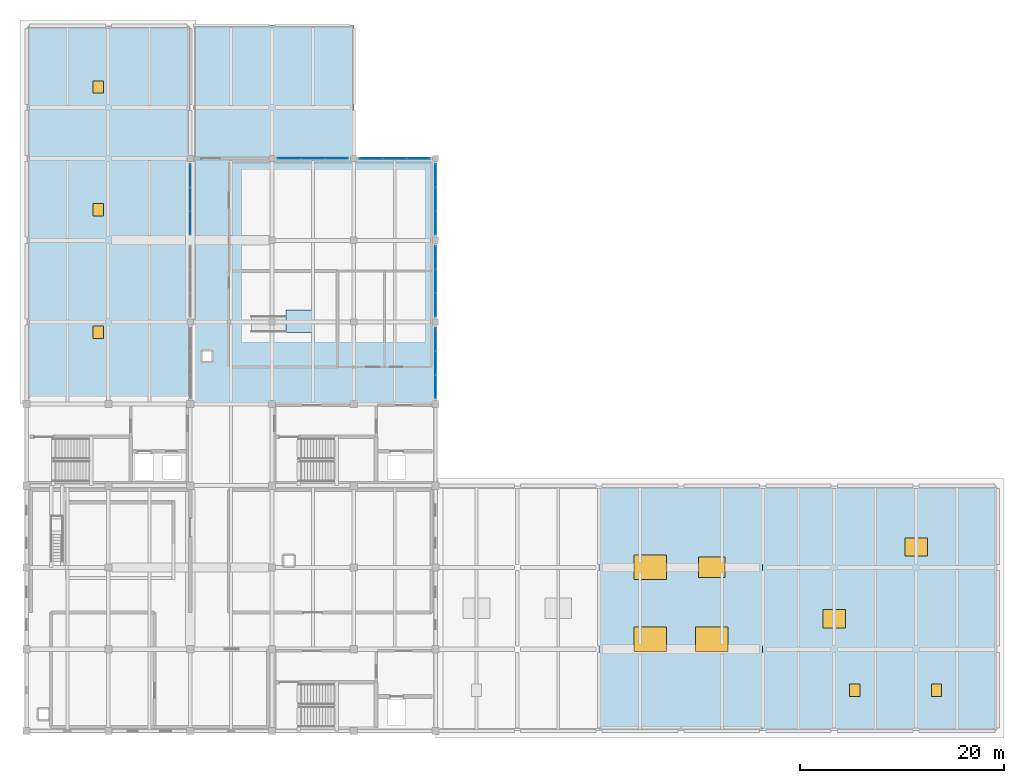
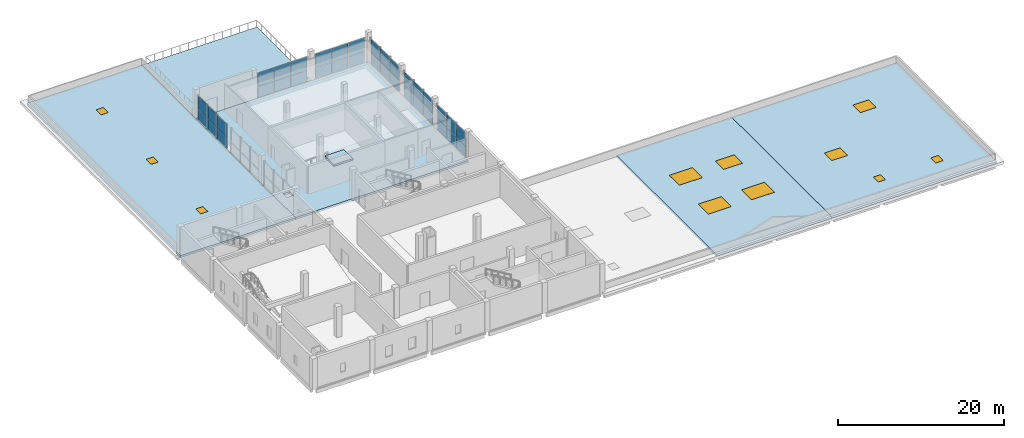
# One storey, part 8 of 14: 36 plates, 6 slabs, 6 windows, 5 doors, 11 openings, 9 elements without a shape of their own.
"""IFC4 building model written with IfcOpenShell, lengths in metres."""

from ifc_helpers import new_model, si_unit, direction, frame, origin, origin_2d, place, context, subcontext, project, spatial, polyline, rectangle, outline, extrude, material, layer, layer_set, type_object, element, fill, aggregate, save


model = new_model("IFC4")

# Units and contexts
model_context = context("Model", 3, precision=1e-05, world=origin(), true_north=direction((0.0, 1.0)))
body_context = subcontext(model_context, "Body", "Model", "MODEL_VIEW")
ifc_project = project(units=[si_unit("LENGTHUNIT", "METRE"), si_unit("AREAUNIT", "SQUARE_METRE"), si_unit("VOLUMEUNIT", "CUBIC_METRE"), si_unit("PLANEANGLEUNIT", "RADIAN"), si_unit("MASSUNIT", "GRAM", prefix="KILO")], contexts=[model_context])

# Site, building, storey
site_placement = place(None, origin())
site = spatial("IfcSite", under=ifc_project, at=site_placement, CompositionType="ELEMENT")
building_placement = place(site_placement, origin())
building = spatial("IfcBuilding", under=site, at=building_placement, Name="Qorikala Patio Media Centre", CompositionType="ELEMENT")
storey_placement = place(building_placement, frame((0.0, 0.0, 23.39990234375)))
storey = spatial("IfcBuildingStorey", under=building, at=storey_placement, Name="L05", CompositionType="ELEMENT", Elevation=23.39990234375)

# Curtain wall, plates
ifc_material_1 = material(Name="Bronze Anodised Aluminium and Low-E Glass", Category="aluminium")
ifc_layer_1 = layer(ifc_material_1, 0.159912109375)
ifc_layer_set_1 = layer_set([ifc_layer_1], Name="Bronze Anodised Aluminium and Low-E Glass")
curtain_wall_type = type_object("IfcCurtainWallType", Name="CW-PAV-696X375", PredefinedType="USERDEFINED", material=ifc_layer_set_1)
curtain_wall_1_placement = place(storey_placement, origin())
curtain_wall_1 = element("IfcCurtainWall", 1, at=curtain_wall_1_placement, inside=storey, type_object=curtain_wall_type, Name="L05 Courtyard Curtain Wall 094", ObjectType="COURTYARD CURTAIN WALL", PredefinedType="USERDEFINED")
ifc_material_2 = material(Name="Low-E Double Glazing Glass", Category="glass")
ifc_layer_2 = layer(ifc_material_2, 0.028076171875)
ifc_layer_set_2 = layer_set([ifc_layer_2], Name="Low-E Double Glazing Glass")
plate_type = type_object("IfcPlateType", Name="CWP-28", PredefinedType="CURTAIN_PANEL", material=ifc_layer_set_2)
plate_1_placement = place(storey_placement, frame((19.0, 52.695068359375, 0.06005859375), z_axis=(0.0, 0.0, 1.0), x_axis=(0.0, 1.0, 0.0)))
plate_1 = element("IfcPlate", 2, at=plate_1_placement, type_object=plate_type, Name="CWP696375 panel 1.1", PredefinedType="CURTAIN_PANEL", context=body_context, shape_type="SweptSolid", body=[
    extrude(rectangle(XDim=2.22998046875, YDim=0.028076171875, at=origin_2d()), origin(), (0.0, 0.0, 1.0), 1.597412109375),
])
plate_2_placement = place(storey_placement, frame((19.0, 52.695068359375, 1.7177734375), z_axis=(0.0, 0.0, 1.0), x_axis=(0.0, 1.0, 0.0)))
plate_2 = element("IfcPlate", 3, at=plate_2_placement, type_object=plate_type, Name="CWP696375 panel 1.2", PredefinedType="CURTAIN_PANEL", context=body_context, shape_type="SweptSolid", body=[
    extrude(rectangle(XDim=2.22998046875, YDim=0.028076171875, at=origin_2d()), origin(), (0.0, 0.0, 1.0), 1.972412109375),
])
plate_3_placement = place(storey_placement, frame((19.0, 55.0, 0.06005859375), z_axis=(0.0, 0.0, 1.0), x_axis=(0.0, 1.0, 0.0)))
plate_3 = element("IfcPlate", 4, at=plate_3_placement, type_object=plate_type, Name="CWP696375 panel 2.1", PredefinedType="CURTAIN_PANEL", context=body_context, shape_type="SweptSolid", body=[
    extrude(rectangle(XDim=2.260009765625, YDim=0.028076171875, at=origin_2d()), origin(), (0.0, 0.0, 1.0), 1.597412109375),
])
plate_4_placement = place(storey_placement, frame((19.0, 55.0, 1.7177734375), z_axis=(0.0, 0.0, 1.0), x_axis=(0.0, 1.0, 0.0)))
plate_4 = element("IfcPlate", 5, at=plate_4_placement, type_object=plate_type, Name="CWP696375 panel 2.2", PredefinedType="CURTAIN_PANEL", context=body_context, shape_type="SweptSolid", body=[
    extrude(rectangle(XDim=2.260009765625, YDim=0.028076171875, at=origin_2d()), origin(), (0.0, 0.0, 1.0), 1.972412109375),
])
plate_5_placement = place(storey_placement, frame((19.0, 57.304931640625, 0.06005859375), z_axis=(0.0, 0.0, 1.0), x_axis=(0.0, 1.0, 0.0)))
plate_5 = element("IfcPlate", 6, at=plate_5_placement, type_object=plate_type, Name="CWP696375 panel 3.1", PredefinedType="CURTAIN_PANEL", context=body_context, shape_type="SweptSolid", body=[
    extrude(rectangle(XDim=2.22998046875, YDim=0.028076171875, at=origin_2d()), origin(), (0.0, 0.0, 1.0), 1.597412109375),
])
plate_6_placement = place(storey_placement, frame((19.0, 57.304931640625, 1.7177734375), z_axis=(0.0, 0.0, 1.0), x_axis=(0.0, 1.0, 0.0)))
plate_6 = element("IfcPlate", 7, at=plate_6_placement, type_object=plate_type, Name="CWP696375 panel 3.2", PredefinedType="CURTAIN_PANEL", context=body_context, shape_type="SweptSolid", body=[
    extrude(rectangle(XDim=2.22998046875, YDim=0.028076171875, at=origin_2d()), origin(), (0.0, 0.0, 1.0), 1.972412109375),
])
aggregate(curtain_wall_1, [plate_1, plate_2, plate_3, plate_4, plate_5, plate_6])

curtain_wall_2_placement = place(storey_placement, origin())
curtain_wall_2 = element("IfcCurtainWall", 8, at=curtain_wall_2_placement, inside=storey, type_object=curtain_wall_type, Name="L05 Courtyard Curtain Wall 095", ObjectType="COURTYARD CURTAIN WALL", PredefinedType="USERDEFINED")
plate_7_placement = place(storey_placement, frame((28.695068359375, 59.0, 0.06005859375), z_axis=(0.0, 0.0, 1.0), x_axis=(1.0, 0.0, 0.0)))
plate_7 = element("IfcPlate", 9, at=plate_7_placement, type_object=plate_type, Name="CWP696375 panel 1.1", PredefinedType="CURTAIN_PANEL", context=body_context, shape_type="SweptSolid", body=[
    extrude(rectangle(XDim=2.22998046875, YDim=0.028076171875, at=origin_2d()), origin(), (0.0, 0.0, 1.0), 1.597412109375),
])
plate_8_placement = place(storey_placement, frame((28.695068359375, 59.0, 1.7177734375), z_axis=(0.0, 0.0, 1.0), x_axis=(1.0, 0.0, 0.0)))
plate_8 = element("IfcPlate", 10, at=plate_8_placement, type_object=plate_type, Name="CWP696375 panel 1.2", PredefinedType="CURTAIN_PANEL", context=body_context, shape_type="SweptSolid", body=[
    extrude(rectangle(XDim=2.22998046875, YDim=0.028076171875, at=origin_2d()), origin(), (0.0, 0.0, 1.0), 1.972412109375),
])
plate_9_placement = place(storey_placement, frame((31.0, 59.0, 0.06005859375), z_axis=(0.0, 0.0, 1.0), x_axis=(1.0, 0.0, 0.0)))
plate_9 = element("IfcPlate", 11, at=plate_9_placement, type_object=plate_type, Name="CWP696375 panel 2.1", PredefinedType="CURTAIN_PANEL", context=body_context, shape_type="SweptSolid", body=[
    extrude(rectangle(XDim=2.260009765625, YDim=0.028076171875, at=origin_2d()), origin(), (0.0, 0.0, 1.0), 1.597412109375),
])
plate_10_placement = place(storey_placement, frame((31.0, 59.0, 1.7177734375), z_axis=(0.0, 0.0, 1.0), x_axis=(1.0, 0.0, 0.0)))
plate_10 = element("IfcPlate", 12, at=plate_10_placement, type_object=plate_type, Name="CWP696375 panel 2.2", PredefinedType="CURTAIN_PANEL", context=body_context, shape_type="SweptSolid", body=[
    extrude(rectangle(XDim=2.260009765625, YDim=0.028076171875, at=origin_2d()), origin(), (0.0, 0.0, 1.0), 1.972412109375),
])
plate_11_placement = place(storey_placement, frame((33.304931640625, 59.0, 0.06005859375), z_axis=(0.0, 0.0, 1.0), x_axis=(1.0, 0.0, 0.0)))
plate_11 = element("IfcPlate", 13, at=plate_11_placement, type_object=plate_type, Name="CWP696375 panel 3.1", PredefinedType="CURTAIN_PANEL", context=body_context, shape_type="SweptSolid", body=[
    extrude(rectangle(XDim=2.22998046875, YDim=0.028076171875, at=origin_2d()), origin(), (0.0, 0.0, 1.0), 1.597412109375),
])
plate_12_placement = place(storey_placement, frame((33.304931640625, 59.0, 1.7177734375), z_axis=(0.0, 0.0, 1.0), x_axis=(1.0, 0.0, 0.0)))
plate_12 = element("IfcPlate", 14, at=plate_12_placement, type_object=plate_type, Name="CWP696375 panel 3.2", PredefinedType="CURTAIN_PANEL", context=body_context, shape_type="SweptSolid", body=[
    extrude(rectangle(XDim=2.22998046875, YDim=0.028076171875, at=origin_2d()), origin(), (0.0, 0.0, 1.0), 1.972412109375),
])
aggregate(curtain_wall_2, [plate_7, plate_8, plate_9, plate_10, plate_11, plate_12])

curtain_wall_3_placement = place(storey_placement, origin())
curtain_wall_3 = element("IfcCurtainWall", 15, at=curtain_wall_3_placement, inside=storey, type_object=curtain_wall_type, Name="L05 Courtyard Curtain Wall 096", ObjectType="COURTYARD CURTAIN WALL", PredefinedType="USERDEFINED")
plate_13_placement = place(storey_placement, frame((36.695068359375, 59.0, 0.06005859375), z_axis=(0.0, 0.0, 1.0), x_axis=(1.0, 0.0, 0.0)))
plate_13 = element("IfcPlate", 16, at=plate_13_placement, type_object=plate_type, Name="CWP696375 panel 1.1", PredefinedType="CURTAIN_PANEL", context=body_context, shape_type="SweptSolid", body=[
    extrude(rectangle(XDim=2.22998046875, YDim=0.028076171875, at=origin_2d()), origin(), (0.0, 0.0, 1.0), 1.597412109375),
])
plate_14_placement = place(storey_placement, frame((36.695068359375, 59.0, 1.7177734375), z_axis=(0.0, 0.0, 1.0), x_axis=(1.0, 0.0, 0.0)))
plate_14 = element("IfcPlate", 17, at=plate_14_placement, type_object=plate_type, Name="CWP696375 panel 1.2", PredefinedType="CURTAIN_PANEL", context=body_context, shape_type="SweptSolid", body=[
    extrude(rectangle(XDim=2.22998046875, YDim=0.028076171875, at=origin_2d()), origin(), (0.0, 0.0, 1.0), 1.972412109375),
])
plate_15_placement = place(storey_placement, frame((39.0, 59.0, 0.06005859375), z_axis=(0.0, 0.0, 1.0), x_axis=(1.0, 0.0, 0.0)))
plate_15 = element("IfcPlate", 18, at=plate_15_placement, type_object=plate_type, Name="CWP696375 panel 2.1", PredefinedType="CURTAIN_PANEL", context=body_context, shape_type="SweptSolid", body=[
    extrude(rectangle(XDim=2.260009765625, YDim=0.028076171875, at=origin_2d()), origin(), (0.0, 0.0, 1.0), 1.597412109375),
])
plate_16_placement = place(storey_placement, frame((39.0, 59.0, 1.7177734375), z_axis=(0.0, 0.0, 1.0), x_axis=(1.0, 0.0, 0.0)))
plate_16 = element("IfcPlate", 19, at=plate_16_placement, type_object=plate_type, Name="CWP696375 panel 2.2", PredefinedType="CURTAIN_PANEL", context=body_context, shape_type="SweptSolid", body=[
    extrude(rectangle(XDim=2.260009765625, YDim=0.028076171875, at=origin_2d()), origin(), (0.0, 0.0, 1.0), 1.972412109375),
])
plate_17_placement = place(storey_placement, frame((41.304931640625, 59.0, 0.06005859375), z_axis=(0.0, 0.0, 1.0), x_axis=(1.0, 0.0, 0.0)))
plate_17 = element("IfcPlate", 20, at=plate_17_placement, type_object=plate_type, Name="CWP696375 panel 3.1", PredefinedType="CURTAIN_PANEL", context=body_context, shape_type="SweptSolid", body=[
    extrude(rectangle(XDim=2.22998046875, YDim=0.028076171875, at=origin_2d()), origin(), (0.0, 0.0, 1.0), 1.597412109375),
])
plate_18_placement = place(storey_placement, frame((41.304931640625, 59.0, 1.7177734375), z_axis=(0.0, 0.0, 1.0), x_axis=(1.0, 0.0, 0.0)))
plate_18 = element("IfcPlate", 21, at=plate_18_placement, type_object=plate_type, Name="CWP696375 panel 3.2", PredefinedType="CURTAIN_PANEL", context=body_context, shape_type="SweptSolid", body=[
    extrude(rectangle(XDim=2.22998046875, YDim=0.028076171875, at=origin_2d()), origin(), (0.0, 0.0, 1.0), 1.972412109375),
])
aggregate(curtain_wall_3, [plate_13, plate_14, plate_15, plate_16, plate_17, plate_18])

curtain_wall_4_placement = place(storey_placement, origin())
curtain_wall_4 = element("IfcCurtainWall", 22, at=curtain_wall_4_placement, inside=storey, type_object=curtain_wall_type, Name="L05 Courtyard Curtain Wall 097", ObjectType="COURTYARD CURTAIN WALL", PredefinedType="USERDEFINED")
plate_19_placement = place(storey_placement, frame((43.0, 57.304931640625, 0.06005859375), z_axis=(0.0, 0.0, 1.0), x_axis=(0.0, -1.0, 0.0)))
plate_19 = element("IfcPlate", 23, at=plate_19_placement, type_object=plate_type, Name="CWP696375 panel 1.1", PredefinedType="CURTAIN_PANEL", context=body_context, shape_type="SweptSolid", body=[
    extrude(rectangle(XDim=2.22998046875, YDim=0.028076171875, at=origin_2d()), origin(), (0.0, 0.0, 1.0), 1.597412109375),
])
plate_20_placement = place(storey_placement, frame((43.0, 57.304931640625, 1.7177734375), z_axis=(0.0, 0.0, 1.0), x_axis=(0.0, -1.0, 0.0)))
plate_20 = element("IfcPlate", 24, at=plate_20_placement, type_object=plate_type, Name="CWP696375 panel 1.2", PredefinedType="CURTAIN_PANEL", context=body_context, shape_type="SweptSolid", body=[
    extrude(rectangle(XDim=2.22998046875, YDim=0.028076171875, at=origin_2d()), origin(), (0.0, 0.0, 1.0), 1.972412109375),
])
plate_21_placement = place(storey_placement, frame((43.0, 55.0, 0.06005859375), z_axis=(0.0, 0.0, 1.0), x_axis=(0.0, -1.0, 0.0)))
plate_21 = element("IfcPlate", 25, at=plate_21_placement, type_object=plate_type, Name="CWP696375 panel 2.1", PredefinedType="CURTAIN_PANEL", context=body_context, shape_type="SweptSolid", body=[
    extrude(rectangle(XDim=2.260009765625, YDim=0.028076171875, at=origin_2d()), origin(), (0.0, 0.0, 1.0), 1.597412109375),
])
plate_22_placement = place(storey_placement, frame((43.0, 55.0, 1.7177734375), z_axis=(0.0, 0.0, 1.0), x_axis=(0.0, -1.0, 0.0)))
plate_22 = element("IfcPlate", 26, at=plate_22_placement, type_object=plate_type, Name="CWP696375 panel 2.2", PredefinedType="CURTAIN_PANEL", context=body_context, shape_type="SweptSolid", body=[
    extrude(rectangle(XDim=2.260009765625, YDim=0.028076171875, at=origin_2d()), origin(), (0.0, 0.0, 1.0), 1.972412109375),
])
plate_23_placement = place(storey_placement, frame((43.0, 52.695068359375, 0.06005859375), z_axis=(0.0, 0.0, 1.0), x_axis=(0.0, -1.0, 0.0)))
plate_23 = element("IfcPlate", 27, at=plate_23_placement, type_object=plate_type, Name="CWP696375 panel 3.1", PredefinedType="CURTAIN_PANEL", context=body_context, shape_type="SweptSolid", body=[
    extrude(rectangle(XDim=2.22998046875, YDim=0.028076171875, at=origin_2d()), origin(), (0.0, 0.0, 1.0), 1.597412109375),
])
plate_24_placement = place(storey_placement, frame((43.0, 52.695068359375, 1.7177734375), z_axis=(0.0, 0.0, 1.0), x_axis=(0.0, -1.0, 0.0)))
plate_24 = element("IfcPlate", 28, at=plate_24_placement, type_object=plate_type, Name="CWP696375 panel 3.2", PredefinedType="CURTAIN_PANEL", context=body_context, shape_type="SweptSolid", body=[
    extrude(rectangle(XDim=2.22998046875, YDim=0.028076171875, at=origin_2d()), origin(), (0.0, 0.0, 1.0), 1.972412109375),
])
aggregate(curtain_wall_4, [plate_19, plate_20, plate_21, plate_22, plate_23, plate_24])

curtain_wall_5_placement = place(storey_placement, origin())
curtain_wall_5 = element("IfcCurtainWall", 29, at=curtain_wall_5_placement, inside=storey, type_object=curtain_wall_type, Name="L05 Courtyard Curtain Wall 098", ObjectType="COURTYARD CURTAIN WALL", PredefinedType="USERDEFINED")
plate_25_placement = place(storey_placement, frame((43.0, 49.304931640625, 0.06005859375), z_axis=(0.0, 0.0, 1.0), x_axis=(0.0, -1.0, 0.0)))
plate_25 = element("IfcPlate", 30, at=plate_25_placement, type_object=plate_type, Name="CWP696375 panel 1.1", PredefinedType="CURTAIN_PANEL", context=body_context, shape_type="SweptSolid", body=[
    extrude(rectangle(XDim=2.22998046875, YDim=0.028076171875, at=origin_2d()), origin(), (0.0, 0.0, 1.0), 1.597412109375),
])
plate_26_placement = place(storey_placement, frame((43.0, 49.304931640625, 1.7177734375), z_axis=(0.0, 0.0, 1.0), x_axis=(0.0, -1.0, 0.0)))
plate_26 = element("IfcPlate", 31, at=plate_26_placement, type_object=plate_type, Name="CWP696375 panel 1.2", PredefinedType="CURTAIN_PANEL", context=body_context, shape_type="SweptSolid", body=[
    extrude(rectangle(XDim=2.22998046875, YDim=0.028076171875, at=origin_2d()), origin(), (0.0, 0.0, 1.0), 1.972412109375),
])
plate_27_placement = place(storey_placement, frame((43.0, 47.0, 0.06005859375), z_axis=(0.0, 0.0, 1.0), x_axis=(0.0, -1.0, 0.0)))
plate_27 = element("IfcPlate", 32, at=plate_27_placement, type_object=plate_type, Name="CWP696375 panel 2.1", PredefinedType="CURTAIN_PANEL", context=body_context, shape_type="SweptSolid", body=[
    extrude(rectangle(XDim=2.260009765625, YDim=0.028076171875, at=origin_2d()), origin(), (0.0, 0.0, 1.0), 1.597412109375),
])
plate_28_placement = place(storey_placement, frame((43.0, 47.0, 1.7177734375), z_axis=(0.0, 0.0, 1.0), x_axis=(0.0, -1.0, 0.0)))
plate_28 = element("IfcPlate", 33, at=plate_28_placement, type_object=plate_type, Name="CWP696375 panel 2.2", PredefinedType="CURTAIN_PANEL", context=body_context, shape_type="SweptSolid", body=[
    extrude(rectangle(XDim=2.260009765625, YDim=0.028076171875, at=origin_2d()), origin(), (0.0, 0.0, 1.0), 1.972412109375),
])
plate_29_placement = place(storey_placement, frame((43.0, 44.695068359375, 0.06005859375), z_axis=(0.0, 0.0, 1.0), x_axis=(0.0, -1.0, 0.0)))
plate_29 = element("IfcPlate", 34, at=plate_29_placement, type_object=plate_type, Name="CWP696375 panel 3.1", PredefinedType="CURTAIN_PANEL", context=body_context, shape_type="SweptSolid", body=[
    extrude(rectangle(XDim=2.22998046875, YDim=0.028076171875, at=origin_2d()), origin(), (0.0, 0.0, 1.0), 1.597412109375),
])
plate_30_placement = place(storey_placement, frame((43.0, 44.695068359375, 1.7177734375), z_axis=(0.0, 0.0, 1.0), x_axis=(0.0, -1.0, 0.0)))
plate_30 = element("IfcPlate", 35, at=plate_30_placement, type_object=plate_type, Name="CWP696375 panel 3.2", PredefinedType="CURTAIN_PANEL", context=body_context, shape_type="SweptSolid", body=[
    extrude(rectangle(XDim=2.22998046875, YDim=0.028076171875, at=origin_2d()), origin(), (0.0, 0.0, 1.0), 1.972412109375),
])
aggregate(curtain_wall_5, [plate_25, plate_26, plate_27, plate_28, plate_29, plate_30])

curtain_wall_6_placement = place(storey_placement, origin())
curtain_wall_6 = element("IfcCurtainWall", 36, at=curtain_wall_6_placement, inside=storey, type_object=curtain_wall_type, Name="L05 Courtyard Curtain Wall 099", ObjectType="COURTYARD CURTAIN WALL", PredefinedType="USERDEFINED")
plate_31_placement = place(storey_placement, frame((43.0, 41.304931640625, 0.06005859375), z_axis=(0.0, 0.0, 1.0), x_axis=(0.0, -1.0, 0.0)))
plate_31 = element("IfcPlate", 37, at=plate_31_placement, type_object=plate_type, Name="CWP696375 panel 1.1", PredefinedType="CURTAIN_PANEL", context=body_context, shape_type="SweptSolid", body=[
    extrude(rectangle(XDim=2.22998046875, YDim=0.028076171875, at=origin_2d()), origin(), (0.0, 0.0, 1.0), 1.597412109375),
])
plate_32_placement = place(storey_placement, frame((43.0, 41.304931640625, 1.7177734375), z_axis=(0.0, 0.0, 1.0), x_axis=(0.0, -1.0, 0.0)))
plate_32 = element("IfcPlate", 38, at=plate_32_placement, type_object=plate_type, Name="CWP696375 panel 1.2", PredefinedType="CURTAIN_PANEL", context=body_context, shape_type="SweptSolid", body=[
    extrude(rectangle(XDim=2.22998046875, YDim=0.028076171875, at=origin_2d()), origin(), (0.0, 0.0, 1.0), 1.972412109375),
])
plate_33_placement = place(storey_placement, frame((43.0, 39.0, 0.06005859375), z_axis=(0.0, 0.0, 1.0), x_axis=(0.0, -1.0, 0.0)))
plate_33 = element("IfcPlate", 39, at=plate_33_placement, type_object=plate_type, Name="CWP696375 panel 2.1", PredefinedType="CURTAIN_PANEL", context=body_context, shape_type="SweptSolid", body=[
    extrude(rectangle(XDim=2.260009765625, YDim=0.028076171875, at=origin_2d()), origin(), (0.0, 0.0, 1.0), 1.597412109375),
])
plate_34_placement = place(storey_placement, frame((43.0, 39.0, 1.7177734375), z_axis=(0.0, 0.0, 1.0), x_axis=(0.0, -1.0, 0.0)))
plate_34 = element("IfcPlate", 40, at=plate_34_placement, type_object=plate_type, Name="CWP696375 panel 2.2", PredefinedType="CURTAIN_PANEL", context=body_context, shape_type="SweptSolid", body=[
    extrude(rectangle(XDim=2.260009765625, YDim=0.028076171875, at=origin_2d()), origin(), (0.0, 0.0, 1.0), 1.972412109375),
])
plate_35_placement = place(storey_placement, frame((43.0, 36.695068359375, 0.06005859375), z_axis=(0.0, 0.0, 1.0), x_axis=(0.0, -1.0, 0.0)))
plate_35 = element("IfcPlate", 41, at=plate_35_placement, type_object=plate_type, Name="CWP696375 panel 3.1", PredefinedType="CURTAIN_PANEL", context=body_context, shape_type="SweptSolid", body=[
    extrude(rectangle(XDim=2.22998046875, YDim=0.028076171875, at=origin_2d()), origin(), (0.0, 0.0, 1.0), 1.597412109375),
])
plate_36_placement = place(storey_placement, frame((43.0, 36.695068359375, 1.7177734375), z_axis=(0.0, 0.0, 1.0), x_axis=(0.0, -1.0, 0.0)))
plate_36 = element("IfcPlate", 42, at=plate_36_placement, type_object=plate_type, Name="CWP696375 panel 3.2", PredefinedType="CURTAIN_PANEL", context=body_context, shape_type="SweptSolid", body=[
    extrude(rectangle(XDim=2.22998046875, YDim=0.028076171875, at=origin_2d()), origin(), (0.0, 0.0, 1.0), 1.972412109375),
])
aggregate(curtain_wall_6, [plate_31, plate_32, plate_33, plate_34, plate_35, plate_36])

# Slab
ifc_material_3 = material(Name="Concrete C35/45", Category="concrete")
ifc_layer_3 = layer(ifc_material_3, 0.300048828125)
ifc_layer_set_3 = layer_set([ifc_layer_3], Name="Concrete C35/45")
slab_type_1 = type_object("IfcSlabType", Name="SL-FLOOR-300", PredefinedType="FLOOR", material=ifc_layer_set_3)
slab_1_placement = place(storey_placement, frame((0.0, 0.0, -0.2998046875)))
element("IfcSlab", 43, at=slab_1_placement, inside=storey, type_object=slab_type_1, Name="L05 V6 Slab 3.1", PredefinedType="FLOOR", context=body_context, shape_type="SweptSolid", body=[
    extrude(outline(polyline([(43.0, 59.0), (43.0, 35.0), (27.0, 35.0), (19.0, 35.0), (19.0, 59.0), (43.0, 59.0)]), holes=[polyline([(21.10009765625, 39.199951171875), (21.10009765625, 40.10009765625), (20.199951171875, 40.10009765625), (20.199951171875, 39.199951171875), (21.10009765625, 39.199951171875)])]), origin(), (0.0, 0.0, 1.0), 0.2998046875),
])

# Roof, slab, openings, windows
roof_type = type_object("IfcRoofType", Name="ROOF-FLAT", PredefinedType="FLAT_ROOF", material=ifc_material_3)
roof_1_placement = place(storey_placement, origin())
roof_1 = element("IfcRoof", 44, at=roof_1_placement, inside=storey, type_object=roof_type, Name="L05 Flat Roof RF-V2-2", PredefinedType="FLAT_ROOF")
ifc_layer_4 = layer(ifc_material_3, 0.260009765625)
ifc_layer_set_4 = layer_set([ifc_layer_4], Name="Concrete C35/45")
slab_type_2 = type_object("IfcSlabType", Name="SL-ROOF-180", PredefinedType="ROOF", material=ifc_layer_set_4)
slab_2_placement = place(storey_placement, frame((0.0, 0.0, -0.2998046875)))
slab_2 = element("IfcSlab", 45, at=slab_2_placement, type_object=slab_type_2, Name="L05 Flat Roof Slab RF-V2-2", PredefinedType="ROOF", context=body_context, shape_type="SweptSolid", body=[
    extrude(outline(polyline([(59.0, 3.0), (75.0, 3.0), (75.0, 27.0), (59.0, 27.0), (59.0, 3.0)])), origin(), (0.0, 0.0, 1.0), 0.2998046875),
])
opening_1_placement = place(slab_2_placement, frame((64.0, 12.0, 0.0)))
opening_1 = element("IfcOpeningElement", 46, at=opening_1_placement, cuts=slab_2, Name="Opening SK-320", PredefinedType="OPENING", context=body_context, shape_type="SweptSolid", body=[
    extrude(rectangle(XDim=3.199951171875, YDim=2.39990234375, at=origin_2d()), frame((0.0, 0.0, -0.010009765625)), (0.0, 0.0, 1.0), 0.31982421875),
])
opening_2_placement = place(slab_2_placement, frame((70.0, 12.0, 0.0)))
opening_2 = element("IfcOpeningElement", 47, at=opening_2_placement, cuts=slab_2, Name="Opening SK-320", PredefinedType="OPENING", context=body_context, shape_type="SweptSolid", body=[
    extrude(rectangle(XDim=3.199951171875, YDim=2.39990234375, at=origin_2d()), frame((0.0, 0.0, -0.010009765625)), (0.0, 0.0, 1.0), 0.31982421875),
])
opening_3_placement = place(slab_2_placement, frame((64.0, 19.0, 0.0)))
opening_3 = element("IfcOpeningElement", 48, at=opening_3_placement, cuts=slab_2, Name="Opening SK-320", PredefinedType="OPENING", context=body_context, shape_type="SweptSolid", body=[
    extrude(rectangle(XDim=3.199951171875, YDim=2.39990234375, at=origin_2d()), frame((0.0, 0.0, -0.010009765625)), (0.0, 0.0, 1.0), 0.31982421875),
])
opening_4_placement = place(slab_2_placement, frame((70.0, 19.0, 0.0)))
opening_4 = element("IfcOpeningElement", 49, at=opening_4_placement, cuts=slab_2, Name="Opening SK-260", PredefinedType="OPENING", context=body_context, shape_type="SweptSolid", body=[
    extrude(rectangle(XDim=2.60009765625, YDim=2.0, at=origin_2d()), frame((0.0, 0.0, -0.010009765625)), (0.0, 0.0, 1.0), 0.31982421875),
])
ifc_material_4 = material(Name="Laminated Hail-Resistant Low-E Skylight Glass", Category="glass")
window_type_1 = type_object("IfcWindowType", Name="SK-FOY-260X200", PartitioningType="SINGLE_PANEL", PredefinedType="SKYLIGHT", material=ifc_material_4)
window_1_placement = place(opening_4_placement, frame((0.0, 0.0, 0.249755859375)))
window_1 = element("IfcWindow", 50, at=window_1_placement, inside=storey, type_object=window_type_1, Name="L05 Roof Skylight SK-04", OverallHeight=2.0, OverallWidth=2.60009765625, PartitioningType="SINGLE_PANEL", PredefinedType="SKYLIGHT", context=body_context, shape_type="SweptSolid", body=[
    extrude(rectangle(XDim=2.60009765625, YDim=2.0, at=origin_2d()), origin(), (0.0, 0.0, 1.0), 0.050048828125),
])
fill(opening_4, window_1)
window_type_2 = type_object("IfcWindowType", Name="SK-FOY-320X240", PartitioningType="SINGLE_PANEL", PredefinedType="SKYLIGHT", material=ifc_material_4)
window_2_placement = place(opening_1_placement, frame((0.0, 0.0, 0.249755859375)))
window_2 = element("IfcWindow", 51, at=window_2_placement, inside=storey, type_object=window_type_2, Name="L05 Roof Skylight SK-01", OverallHeight=2.39990234375, OverallWidth=3.199951171875, PartitioningType="SINGLE_PANEL", PredefinedType="SKYLIGHT", context=body_context, shape_type="SweptSolid", body=[
    extrude(rectangle(XDim=3.199951171875, YDim=2.39990234375, at=origin_2d()), origin(), (0.0, 0.0, 1.0), 0.050048828125),
])
fill(opening_1, window_2)
window_3_placement = place(opening_2_placement, frame((0.0, 0.0, 0.249755859375)))
window_3 = element("IfcWindow", 52, at=window_3_placement, inside=storey, type_object=window_type_2, Name="L05 Roof Skylight SK-02", OverallHeight=2.39990234375, OverallWidth=3.199951171875, PartitioningType="SINGLE_PANEL", PredefinedType="SKYLIGHT", context=body_context, shape_type="SweptSolid", body=[
    extrude(rectangle(XDim=3.199951171875, YDim=2.39990234375, at=origin_2d()), origin(), (0.0, 0.0, 1.0), 0.050048828125),
])
fill(opening_2, window_3)
window_4_placement = place(opening_3_placement, frame((0.0, 0.0, 0.249755859375)))
window_4 = element("IfcWindow", 53, at=window_4_placement, inside=storey, type_object=window_type_2, Name="L05 Roof Skylight SK-03", OverallHeight=2.39990234375, OverallWidth=3.199951171875, PartitioningType="SINGLE_PANEL", PredefinedType="SKYLIGHT", context=body_context, shape_type="SweptSolid", body=[
    extrude(rectangle(XDim=3.199951171875, YDim=2.39990234375, at=origin_2d()), origin(), (0.0, 0.0, 1.0), 0.050048828125),
])
fill(opening_3, window_4)
aggregate(roof_1, [slab_2])

# Roof, slab, openings, doors, windows
roof_2_placement = place(storey_placement, origin())
roof_2 = element("IfcRoof", 54, at=roof_2_placement, inside=storey, type_object=roof_type, Name="L05 Flat Roof RF-V2-3", PredefinedType="FLAT_ROOF")
slab_3_placement = place(storey_placement, frame((0.0, 0.0, -0.2998046875)))
slab_3 = element("IfcSlab", 55, at=slab_3_placement, type_object=slab_type_2, Name="L05 Flat Roof Slab RF-V2-3", PredefinedType="ROOF", context=body_context, shape_type="SweptSolid", body=[
    extrude(outline(polyline([(75.0, 3.0), (98.0, 3.0), (98.0, 27.0), (75.0, 27.0), (75.0, 3.0)])), origin(), (0.0, 0.0, 1.0), 0.2998046875),
])
opening_5_placement = place(slab_3_placement, frame((82.0, 14.0, 0.0)))
opening_5 = element("IfcOpeningElement", 56, at=opening_5_placement, cuts=slab_3, Name="Opening SK-220", PredefinedType="OPENING", context=body_context, shape_type="SweptSolid", body=[
    extrude(rectangle(XDim=2.199951171875, YDim=1.800048828125, at=origin_2d()), frame((0.0, 0.0, -0.010009765625)), (0.0, 0.0, 1.0), 0.31982421875),
])
opening_6_placement = place(slab_3_placement, frame((90.0, 21.0, 0.0)))
opening_6 = element("IfcOpeningElement", 57, at=opening_6_placement, cuts=slab_3, Name="Opening SK-220", PredefinedType="OPENING", context=body_context, shape_type="SweptSolid", body=[
    extrude(rectangle(XDim=2.199951171875, YDim=1.800048828125, at=origin_2d()), frame((0.0, 0.0, -0.010009765625)), (0.0, 0.0, 1.0), 0.31982421875),
])
opening_7_placement = place(slab_3_placement, frame((92.0, 7.0, 0.0)))
opening_7 = element("IfcOpeningElement", 58, at=opening_7_placement, cuts=slab_3, Name="Opening TH02", PredefinedType="OPENING", context=body_context, shape_type="SweptSolid", body=[
    extrude(rectangle(XDim=1.0, YDim=1.199951171875, at=origin_2d()), frame((0.0, 0.0, -0.010009765625)), (0.0, 0.0, 1.0), 0.31982421875),
])
opening_8_placement = place(slab_3_placement, frame((84.0, 7.0, 0.0)))
opening_8 = element("IfcOpeningElement", 59, at=opening_8_placement, cuts=slab_3, Name="Opening TH03", PredefinedType="OPENING", context=body_context, shape_type="SweptSolid", body=[
    extrude(rectangle(XDim=1.0, YDim=1.199951171875, at=origin_2d()), frame((0.0, 0.0, -0.010009765625)), (0.0, 0.0, 1.0), 0.31982421875),
])
ifc_material_5 = material(Name="Insulated Aluminium Trapdoor", Category="aluminium")
door_type = type_object("IfcDoorType", Name="DR-HAT-100X120", OperationType="NOTDEFINED", PredefinedType="TRAPDOOR", material=ifc_material_5)
door_1_placement = place(opening_7_placement, frame((0.0, 0.0, 0.249755859375)))
door_1 = element("IfcDoor", 60, at=door_1_placement, inside=storey, type_object=door_type, Name="L05 Roof Maintenance Access Hatch TH-02", OperationType="SINGLE_SWING_LEFT", OverallHeight=1.199951171875, OverallWidth=1.0, PredefinedType="TRAPDOOR", context=body_context, shape_type="SweptSolid", body=[
    extrude(rectangle(XDim=1.0, YDim=1.199951171875, at=origin_2d()), origin(), (0.0, 0.0, 1.0), 0.050048828125),
])
fill(opening_7, door_1)
door_2_placement = place(opening_8_placement, frame((0.0, 0.0, 0.249755859375)))
door_2 = element("IfcDoor", 61, at=door_2_placement, inside=storey, type_object=door_type, Name="L05 Roof Maintenance Access Hatch TH-03", OperationType="SINGLE_SWING_LEFT", OverallHeight=1.199951171875, OverallWidth=1.0, PredefinedType="TRAPDOOR", context=body_context, shape_type="SweptSolid", body=[
    extrude(rectangle(XDim=1.0, YDim=1.199951171875, at=origin_2d()), origin(), (0.0, 0.0, 1.0), 0.050048828125),
])
fill(opening_8, door_2)
window_type_3 = type_object("IfcWindowType", Name="SK-LIB-220X180", PartitioningType="SINGLE_PANEL", PredefinedType="SKYLIGHT", material=ifc_material_4)
window_5_placement = place(opening_5_placement, frame((0.0, 0.0, 0.249755859375)))
window_5 = element("IfcWindow", 62, at=window_5_placement, inside=storey, type_object=window_type_3, Name="L05 Roof Skylight SK-07", OverallHeight=1.800048828125, OverallWidth=2.199951171875, PartitioningType="SINGLE_PANEL", PredefinedType="SKYLIGHT", context=body_context, shape_type="SweptSolid", body=[
    extrude(rectangle(XDim=2.199951171875, YDim=1.800048828125, at=origin_2d()), origin(), (0.0, 0.0, 1.0), 0.050048828125),
])
fill(opening_5, window_5)
window_6_placement = place(opening_6_placement, frame((0.0, 0.0, 0.249755859375)))
window_6 = element("IfcWindow", 63, at=window_6_placement, inside=storey, type_object=window_type_3, Name="L05 Roof Skylight SK-08", OverallHeight=1.800048828125, OverallWidth=2.199951171875, PartitioningType="SINGLE_PANEL", PredefinedType="SKYLIGHT", context=body_context, shape_type="SweptSolid", body=[
    extrude(rectangle(XDim=2.199951171875, YDim=1.800048828125, at=origin_2d()), origin(), (0.0, 0.0, 1.0), 0.050048828125),
])
fill(opening_6, window_6)
aggregate(roof_2, [slab_3])

# Roof, slab, openings, doors
roof_3_placement = place(storey_placement, origin())
roof_3 = element("IfcRoof", 64, at=roof_3_placement, inside=storey, type_object=roof_type, Name="L05 Flat Roof RF-V3-TOP", PredefinedType="FLAT_ROOF")
slab_4_placement = place(storey_placement, frame((0.0, 0.0, -0.2998046875)))
slab_4 = element("IfcSlab", 65, at=slab_4_placement, type_object=slab_type_2, Name="L05 Flat Roof Slab RF-V3-TOP", PredefinedType="ROOF", context=body_context, shape_type="SweptSolid", body=[
    extrude(outline(polyline([(3.0, 35.0), (19.0, 35.0), (19.0, 72.0), (3.0, 72.0), (3.0, 35.0)])), origin(), (0.0, 0.0, 1.0), 0.2998046875),
])
opening_9_placement = place(slab_4_placement, frame((10.0, 42.0, 0.0)))
opening_9 = element("IfcOpeningElement", 66, at=opening_9_placement, cuts=slab_4, Name="Opening TH04", PredefinedType="OPENING", context=body_context, shape_type="SweptSolid", body=[
    extrude(rectangle(XDim=1.0, YDim=1.199951171875, at=origin_2d()), frame((0.0, 0.0, -0.010009765625)), (0.0, 0.0, 1.0), 0.31982421875),
])
opening_10_placement = place(slab_4_placement, frame((10.0, 54.0, 0.0)))
opening_10 = element("IfcOpeningElement", 67, at=opening_10_placement, cuts=slab_4, Name="Opening TH05", PredefinedType="OPENING", context=body_context, shape_type="SweptSolid", body=[
    extrude(rectangle(XDim=1.0, YDim=1.199951171875, at=origin_2d()), frame((0.0, 0.0, -0.010009765625)), (0.0, 0.0, 1.0), 0.31982421875),
])
opening_11_placement = place(slab_4_placement, frame((10.0, 66.0, 0.0)))
opening_11 = element("IfcOpeningElement", 68, at=opening_11_placement, cuts=slab_4, Name="Opening TH06", PredefinedType="OPENING", context=body_context, shape_type="SweptSolid", body=[
    extrude(rectangle(XDim=1.0, YDim=1.199951171875, at=origin_2d()), frame((0.0, 0.0, -0.010009765625)), (0.0, 0.0, 1.0), 0.31982421875),
])
door_3_placement = place(opening_9_placement, frame((0.0, 0.0, 0.249755859375)))
door_3 = element("IfcDoor", 69, at=door_3_placement, inside=storey, type_object=door_type, Name="L05 Roof Maintenance Access Hatch TH-04", OperationType="SINGLE_SWING_LEFT", OverallHeight=1.199951171875, OverallWidth=1.0, PredefinedType="TRAPDOOR", context=body_context, shape_type="SweptSolid", body=[
    extrude(rectangle(XDim=1.0, YDim=1.199951171875, at=origin_2d()), origin(), (0.0, 0.0, 1.0), 0.050048828125),
])
fill(opening_9, door_3)
door_4_placement = place(opening_10_placement, frame((0.0, 0.0, 0.249755859375)))
door_4 = element("IfcDoor", 70, at=door_4_placement, inside=storey, type_object=door_type, Name="L05 Roof Maintenance Access Hatch TH-05", OperationType="SINGLE_SWING_LEFT", OverallHeight=1.199951171875, OverallWidth=1.0, PredefinedType="TRAPDOOR", context=body_context, shape_type="SweptSolid", body=[
    extrude(rectangle(XDim=1.0, YDim=1.199951171875, at=origin_2d()), origin(), (0.0, 0.0, 1.0), 0.050048828125),
])
fill(opening_10, door_4)
door_5_placement = place(opening_11_placement, frame((0.0, 0.0, 0.249755859375)))
door_5 = element("IfcDoor", 71, at=door_5_placement, inside=storey, type_object=door_type, Name="L05 Roof Maintenance Access Hatch TH-06", OperationType="SINGLE_SWING_LEFT", OverallHeight=1.199951171875, OverallWidth=1.0, PredefinedType="TRAPDOOR", context=body_context, shape_type="SweptSolid", body=[
    extrude(rectangle(XDim=1.0, YDim=1.199951171875, at=origin_2d()), origin(), (0.0, 0.0, 1.0), 0.050048828125),
])
fill(opening_11, door_5)
aggregate(roof_3, [slab_4])

# Slabs
ifc_layer_5 = layer(ifc_material_3, 0.280029296875)
ifc_layer_set_5 = layer_set([ifc_layer_5], Name="Concrete C35/45")
slab_type_3 = type_object("IfcSlabType", Name="SL-STUDIO-280", PredefinedType="FLOOR", material=ifc_layer_set_5)
slab_5_placement = place(storey_placement, origin())
element("IfcSlab", 72, at=slab_5_placement, inside=storey, type_object=slab_type_3, Name="L05 Accessible Raised Platform RP-05", PredefinedType="FLOOR", context=body_context, shape_type="SweptSolid", body=[
    extrude(outline(polyline([(28.360107421875, 42.0), (31.0, 42.0), (31.0, 44.199951171875), (28.360107421875, 44.199951171875), (28.360107421875, 42.0)])), origin(), (0.0, 0.0, 1.0), 0.239990234375),
])
ifc_material_6 = material(Name="Comanche Stone Paving and Concrete C35/45", Category="masonry")
ifc_layer_6 = layer(ifc_material_6, 0.25)
ifc_layer_set_6 = layer_set([ifc_layer_6], Name="Comanche Stone Paving and Concrete C35/45")
slab_type_4 = type_object("IfcSlabType", Name="SL-TERR-260", PredefinedType="FLOOR", material=ifc_layer_set_6)
slab_6_placement = place(storey_placement, frame((0.0, 0.0, -0.25)))
element("IfcSlab", 73, at=slab_6_placement, inside=storey, type_object=slab_type_4, Name="L05 Open-Air Rooftop Screen Terrace Slab", PredefinedType="FLOOR", context=body_context, shape_type="SweptSolid", body=[
    extrude(outline(polyline([(19.0, 59.0), (35.0, 59.0), (35.0, 72.0), (19.0, 72.0), (19.0, 59.0)])), origin(), (0.0, 0.0, 1.0), 0.25),
])

save(model, "model.ifc")
